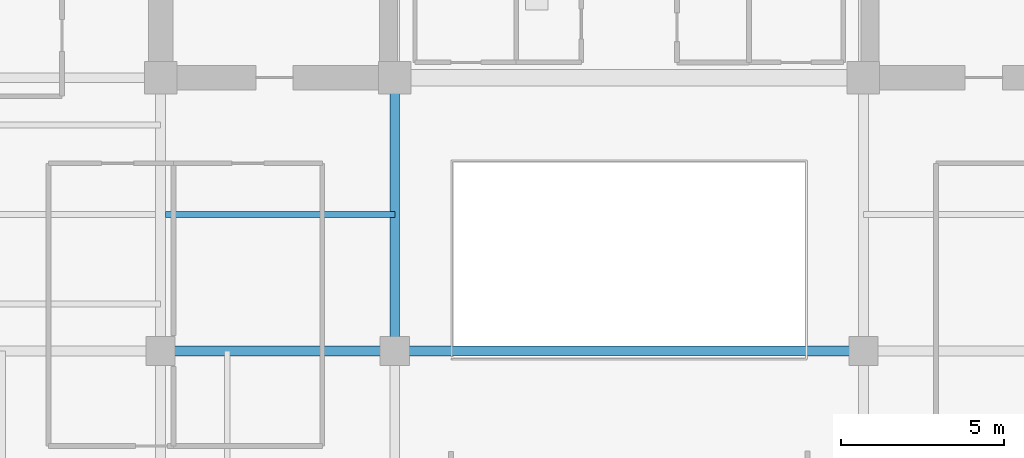
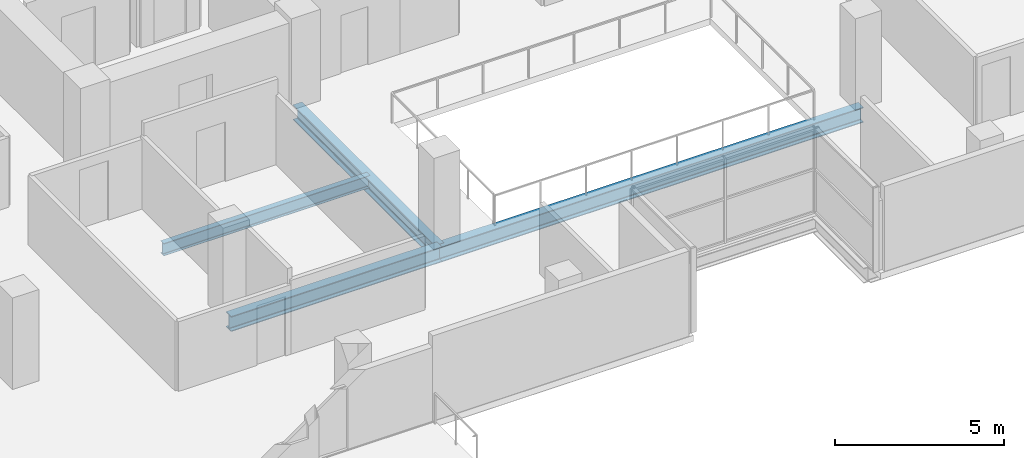
# One storey, part 4 of 23: 4 beams.
"""IFC4 building model written with IfcOpenShell, lengths in metres."""

from ifc_helpers import new_model, si_unit, direction, frame, origin, origin_2d, place, context, subcontext, project, spatial, i_section, extrude, material, material_profile, profile_set, type_object, element, save


model = new_model("IFC4")

# Units and contexts
model_context = context("Model", 3, precision=1e-05, world=origin(), true_north=direction((0.0, 1.0)))
body_context = subcontext(model_context, "Body", "Model", "MODEL_VIEW")
ifc_project = project(units=[si_unit("LENGTHUNIT", "METRE"), si_unit("AREAUNIT", "SQUARE_METRE"), si_unit("VOLUMEUNIT", "CUBIC_METRE"), si_unit("PLANEANGLEUNIT", "RADIAN"), si_unit("MASSUNIT", "GRAM", prefix="KILO")], contexts=[model_context])

# Site, building, storey
site_placement = place(None, origin())
site = spatial("IfcSite", under=ifc_project, at=site_placement, CompositionType="ELEMENT")
building_placement = place(site_placement, origin())
building = spatial("IfcBuilding", under=site, at=building_placement, Name="Zarnakvel Exchange Tower", CompositionType="ELEMENT")
storey_placement = place(building_placement, frame((0.0, 0.0, 116.5)))
storey = spatial("IfcBuildingStorey", under=building, at=storey_placement, Name="L32", CompositionType="ELEMENT", Elevation=116.5)

# Beams
ifc_material = material(Name="Steel S355", Category="steel")
ifc_material_profile_1 = material_profile(ifc_material, i_section(OverallWidth=0.18994140625, OverallDepth=0.449951171875, WebThickness=0.009521484375, FlangeThickness=0.0146484375, FilletRadius=0.02099609375, at=origin_2d()))
ifc_profile_set_1 = profile_set([ifc_material_profile_1], Name="Steel S355")
beam_type_1 = type_object("IfcBeamType", Name="B-05", PredefinedType="JOIST", material=ifc_profile_set_1)
beam_1_placement = place(storey_placement, frame((-14.25, -5.39990234375, -0.449951171875), z_axis=(1.0, 0.0, 0.0), x_axis=(0.0, 1.0, 0.0)))
element("IfcBeam", 1, at=beam_1_placement, inside=storey, type_object=beam_type_1, Name="L32 Composite Floor Secondary Joist", PredefinedType="JOIST", context=body_context, shape_type="SweptSolid", body=[
    extrude(i_section(OverallWidth=0.18994140625, OverallDepth=0.449951171875, WebThickness=0.009521484375, FlangeThickness=0.0146484375, FilletRadius=0.02099609375, at=origin_2d()), origin(), (0.0, 0.0, 1.0), 7.050048828125),
])
ifc_material_profile_2 = material_profile(ifc_material, i_section(OverallWidth=0.300048828125, OverallDepth=0.550048828125, WebThickness=0.014892578125, FlangeThickness=0.029052734375, FilletRadius=0.027099609375, at=origin_2d()))
ifc_profile_set_2 = profile_set([ifc_material_profile_2], Name="Steel S355")
beam_type_2 = type_object("IfcBeamType", Name="G-05", PredefinedType="BEAM", material=ifc_profile_set_2)
beam_2_placement = place(storey_placement, frame((-14.39990234375, -9.60009765625, -0.5), z_axis=(1.0, 0.0, 0.0), x_axis=(0.0, 1.0, 0.0)))
element("IfcBeam", 2, at=beam_2_placement, inside=storey, type_object=beam_type_2, Name="L32 Tower E-W Frame Beam", PredefinedType="BEAM", context=body_context, shape_type="SweptSolid", body=[
    extrude(i_section(OverallWidth=0.300048828125, OverallDepth=0.550048828125, WebThickness=0.014892578125, FlangeThickness=0.029052734375, FilletRadius=0.027099609375, at=origin_2d()), origin(), (0.0, 0.0, 1.0), 7.199951171875),
])
beam_3_placement = place(storey_placement, frame((-7.199951171875, -9.60009765625, -0.5), z_axis=(1.0, 0.0, 0.0), x_axis=(0.0, 1.0, 0.0)))
element("IfcBeam", 3, at=beam_3_placement, inside=storey, type_object=beam_type_2, Name="L32 Tower E-W Frame Beam", PredefinedType="BEAM", context=body_context, shape_type="SweptSolid", body=[
    extrude(i_section(OverallWidth=0.300048828125, OverallDepth=0.550048828125, WebThickness=0.014892578125, FlangeThickness=0.029052734375, FilletRadius=0.027099609375, at=origin_2d()), origin(), (0.0, 0.0, 1.0), 14.39990234375),
])
beam_4_placement = place(storey_placement, frame((-7.199951171875, -9.60009765625, -0.5), z_axis=(0.0, 1.0, 0.0), x_axis=(-1.0, 0.0, 0.0)))
element("IfcBeam", 4, at=beam_4_placement, inside=storey, type_object=beam_type_2, Name="L32 Tower N-S Frame Beam", PredefinedType="BEAM", context=body_context, shape_type="SweptSolid", body=[
    extrude(i_section(OverallWidth=0.300048828125, OverallDepth=0.550048828125, WebThickness=0.014892578125, FlangeThickness=0.029052734375, FilletRadius=0.027099609375, at=origin_2d()), origin(), (0.0, 0.0, 1.0), 8.400146484375),
])

save(model, "model.ifc")
